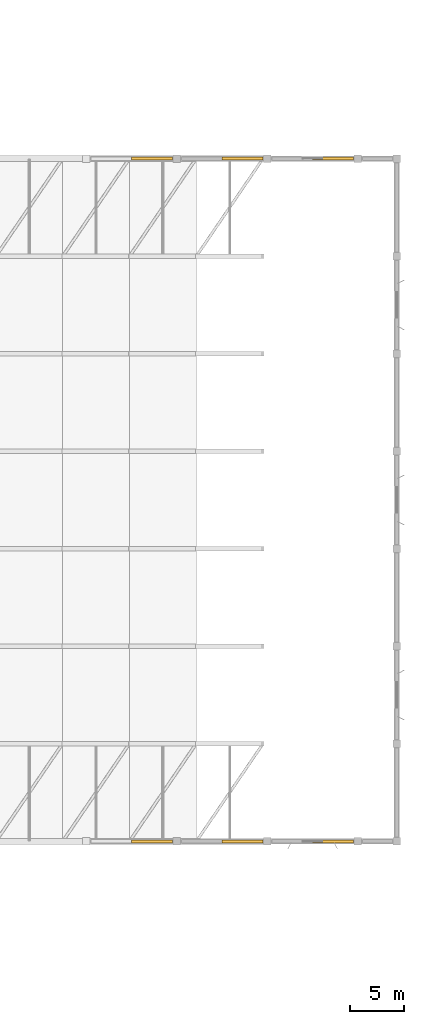
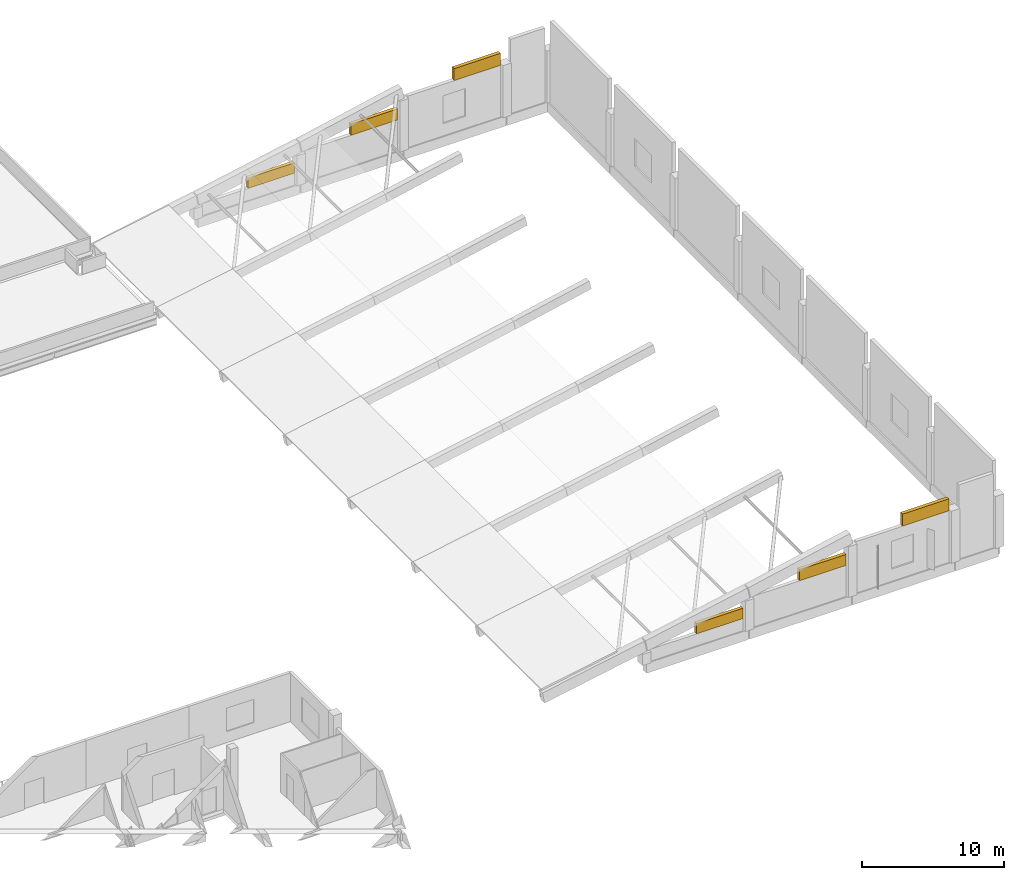
# One storey, part 34 of 34: 6 coverings.
"""IFC4 building model written with IfcOpenShell, lengths in metres."""

from ifc_helpers import new_model, si_unit, direction, frame, origin, place, context, subcontext, project, spatial, polyline, outline, extrude, material, layer, layer_set, type_object, element, save


model = new_model("IFC4")

# Units and contexts
model_context = context("Model", 3, precision=1e-05, world=origin(), true_north=direction((0.0, 1.0)))
body_context = subcontext(model_context, "Body", "Model", "MODEL_VIEW")
ifc_project = project(units=[si_unit("LENGTHUNIT", "METRE"), si_unit("AREAUNIT", "SQUARE_METRE"), si_unit("VOLUMEUNIT", "CUBIC_METRE"), si_unit("PLANEANGLEUNIT", "RADIAN"), si_unit("MASSUNIT", "GRAM", prefix="KILO")], contexts=[model_context])

# Site, building, storey
site_placement = place(None, origin())
site = spatial("IfcSite", under=ifc_project, at=site_placement, CompositionType="ELEMENT")
building_placement = place(site_placement, origin())
building = spatial("IfcBuilding", under=site, at=building_placement, Name="Khurvash Pelagic Aquarium", CompositionType="ELEMENT")
storey_placement = place(building_placement, frame((0.0, 0.0, 15.60009765625)))
storey = spatial("IfcBuildingStorey", under=building, at=storey_placement, Name="L03", CompositionType="ELEMENT", Elevation=15.60009765625)

# Coverings
ifc_material = material(Name="High-albedo white architectural GRC rainscreen", Category="concrete")
ifc_layer = layer(ifc_material, 0.044921875)
ifc_layer_set = layer_set([ifc_layer], Name="High-albedo white architectural GRC rainscreen")
covering_type = type_object("IfcCoveringType", Name="CV-CL01", PredefinedType="CLADDING", material=ifc_layer_set)
covering_1_placement = place(storey_placement, frame((0.0, 0.0, 1.02880859375)))
element("IfcCovering", 1, at=covering_1_placement, inside=storey, type_object=covering_type, Name="L03 Ocean Hall South Raking Spandrel GRC Infill CV-CL01", PredefinedType="CLADDING", context=body_context, shape_type="SweptSolid", body=[
    extrude(outline(polyline([(138.60009765625, 20.56005859375), (142.389892578125, 20.56005859375), (142.389892578125, 20.840087890625), (138.60009765625, 20.840087890625), (138.60009765625, 20.56005859375)])), origin(), (0.0, 0.0, 1.0), 0.881103515625),
])
covering_2_placement = place(storey_placement, frame((0.0, 0.0, 2.669921875)))
element("IfcCovering", 2, at=covering_2_placement, inside=storey, type_object=covering_type, Name="L03 Ocean Hall South Raking Spandrel GRC Infill CV-CL01", PredefinedType="CLADDING", context=body_context, shape_type="SweptSolid", body=[
    extrude(outline(polyline([(147.0, 20.56005859375), (150.7900390625, 20.56005859375), (150.7900390625, 20.840087890625), (147.0, 20.840087890625), (147.0, 20.56005859375)])), origin(), (0.0, 0.0, 1.0), 0.950927734375),
])
covering_3_placement = place(storey_placement, frame((0.0, 0.0, 4.44091796875)))
element("IfcCovering", 3, at=covering_3_placement, inside=storey, type_object=covering_type, Name="L03 Ocean Hall South Raking Spandrel GRC Infill CV-CL01", PredefinedType="CLADDING", context=body_context, shape_type="SweptSolid", body=[
    extrude(outline(polyline([(155.39990234375, 20.56005859375), (159.18994140625, 20.56005859375), (159.18994140625, 20.840087890625), (155.39990234375, 20.840087890625), (155.39990234375, 20.56005859375)])), origin(), (0.0, 0.0, 1.0), 1.034912109375),
])
covering_4_placement = place(storey_placement, frame((0.0, 0.0, 1.02880859375)))
element("IfcCovering", 4, at=covering_4_placement, inside=storey, type_object=covering_type, Name="L03 Ocean Hall North Raking Spandrel GRC Infill CV-CL01", PredefinedType="CLADDING", context=body_context, shape_type="SweptSolid", body=[
    extrude(outline(polyline([(138.60009765625, 83.909912109375), (142.389892578125, 83.909912109375), (142.389892578125, 84.18994140625), (138.60009765625, 84.18994140625), (138.60009765625, 83.909912109375)])), origin(), (0.0, 0.0, 1.0), 0.881103515625),
])
covering_5_placement = place(storey_placement, frame((0.0, 0.0, 2.669921875)))
element("IfcCovering", 5, at=covering_5_placement, inside=storey, type_object=covering_type, Name="L03 Ocean Hall North Raking Spandrel GRC Infill CV-CL01", PredefinedType="CLADDING", context=body_context, shape_type="SweptSolid", body=[
    extrude(outline(polyline([(147.0, 83.909912109375), (150.7900390625, 83.909912109375), (150.7900390625, 84.18994140625), (147.0, 84.18994140625), (147.0, 83.909912109375)])), origin(), (0.0, 0.0, 1.0), 0.950927734375),
])
covering_6_placement = place(storey_placement, frame((0.0, 0.0, 4.44091796875)))
element("IfcCovering", 6, at=covering_6_placement, inside=storey, type_object=covering_type, Name="L03 Ocean Hall North Raking Spandrel GRC Infill CV-CL01", PredefinedType="CLADDING", context=body_context, shape_type="SweptSolid", body=[
    extrude(outline(polyline([(155.39990234375, 83.909912109375), (159.18994140625, 83.909912109375), (159.18994140625, 84.18994140625), (155.39990234375, 84.18994140625), (155.39990234375, 83.909912109375)])), origin(), (0.0, 0.0, 1.0), 1.034912109375),
])

save(model, "model.ifc")
